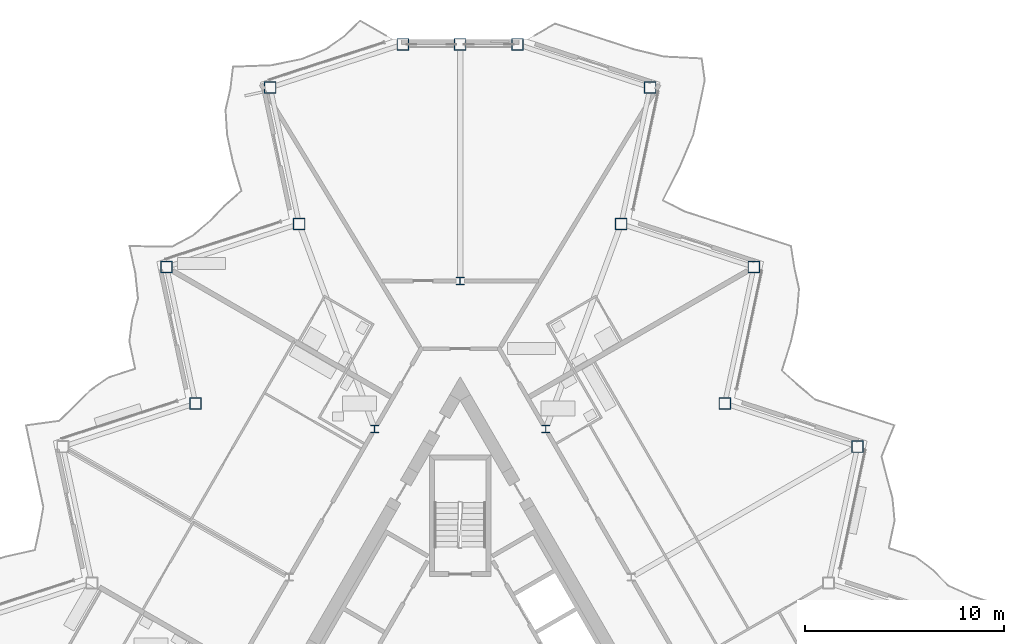
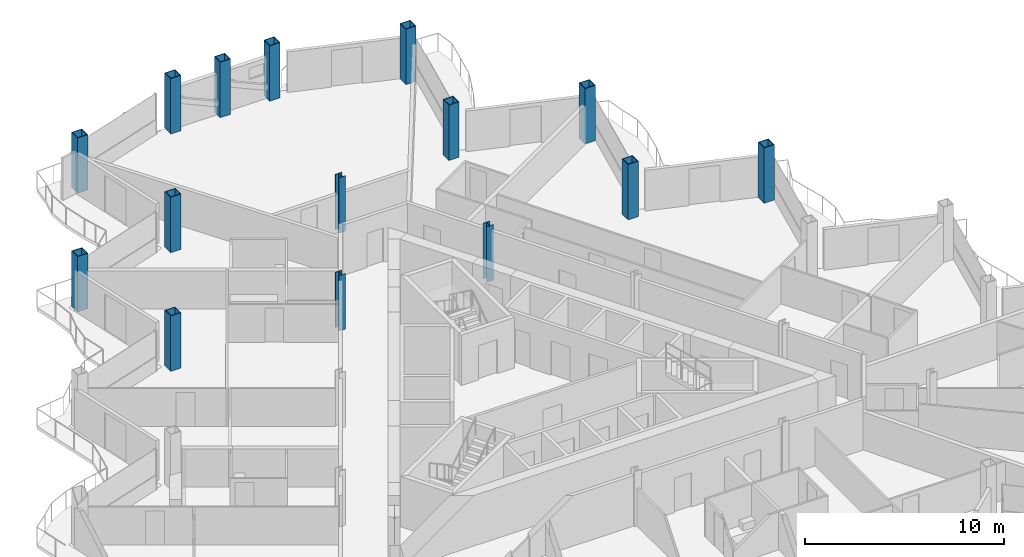
# One storey, part 3 of 27: 15 columns.
"""IFC4 building model written with IfcOpenShell, lengths in metres."""

from ifc_helpers import new_model, si_unit, direction, frame, origin, origin_2d, place, context, subcontext, project, spatial, hollow_rectangle, i_section, extrude, material, material_profile, profile_set, type_object, element, save


model = new_model("IFC4")

# Units and contexts
model_context = context("Model", 3, precision=1e-05, world=origin(), true_north=direction((0.0, 1.0)))
body_context = subcontext(model_context, "Body", "Model", "MODEL_VIEW")
ifc_project = project(units=[si_unit("LENGTHUNIT", "METRE"), si_unit("AREAUNIT", "SQUARE_METRE"), si_unit("VOLUMEUNIT", "CUBIC_METRE"), si_unit("PLANEANGLEUNIT", "RADIAN"), si_unit("MASSUNIT", "GRAM", prefix="KILO")], contexts=[model_context])

# Site, building, storey
site_placement = place(None, origin())
site = spatial("IfcSite", under=ifc_project, at=site_placement, CompositionType="ELEMENT")
building_placement = place(site_placement, origin())
building = spatial("IfcBuilding", under=site, at=building_placement, Name="Cormorant Prow Tower", CompositionType="ELEMENT")
storey_placement = place(building_placement, frame((0.0, 0.0, 318.800048828125)))
storey = spatial("IfcBuildingStorey", under=building, at=storey_placement, Name="L70", CompositionType="ELEMENT", Elevation=318.800048828125)

# Columns
ifc_material_1 = material(Name="Structural steel ASTM A572 Gr 50", Category="steel")
ifc_material_profile_1 = material_profile(ifc_material_1, hollow_rectangle(XDim=0.60009765625, YDim=0.60009765625, WallThickness=0.0400390625, at=origin_2d()), Name="Box 600x600x40")
ifc_profile_set_1 = profile_set([ifc_material_profile_1], Name="Structural steel ASTM A572 Gr 50")
column_type_1 = type_object("IfcColumnType", Name="Perimeter box column 600x600x40", PredefinedType="COLUMN", material=ifc_profile_set_1)
for number, where, z_axis, x_axis, name in (
    (1, (19.925537109375, 11.504150390625, 0.0), (0.0, 0.0, 1.0), (1.0, 0.0, 0.0), "Perimeter column C6 at ENE05 L70"),
    (2, (13.27197265625, 13.666015625, 0.0), (0.0, 0.0, 1.0), (1.0, 0.0, 0.0), "Perimeter column C6 at ENE06 L70"),
    (3, (14.7265625, 20.509033203125, 0.0), (0.0, 0.0, 1.0), (1.0, 0.0, 0.0), "Perimeter column C6 at ENE07 L70"),
    (4, (8.072998046875, 22.6708984375, 0.0), (0.0, 0.0, 1.0), (1.0, 0.0, 0.0), "Perimeter column C6 at ENE08 L70"),
    (5, (9.52734375, 29.51416015625, 0.0), (0.0, 0.0, 1.0), (1.0, 0.0, 0.0), "Perimeter column C6 at ENE09 L70"),
    (6, (2.873779296875, 31.676025390625, 0.0), (0.0, 0.0, 1.0), (1.0, 0.0, 0.0), "Perimeter column C6 at N00 L70"),
    (7, (0.0, 31.676025390625, 0.0), (0.0, 0.0, 1.0), (1.0, 0.0, 0.0), "Perimeter column C6 at N01 L70"),
    (8, (-2.873779296875, 31.676025390625, 0.0), (0.0, 0.0, 1.0), (1.0, 0.0, 0.0), "Perimeter column C6 at WNW00 L70"),
    (9, (-9.52734375, 29.51416015625, 0.0), (0.0, 0.0, 1.0), (1.0, 0.0, 0.0), "Perimeter column C6 at WNW01 L70"),
    (10, (-8.072998046875, 22.6708984375, 0.0), (0.0, 0.0, 1.0), (1.0, 0.0, 0.0), "Perimeter column C6 at WNW02 L70"),
    (11, (-14.7265625, 20.509033203125, 0.0), (0.0, 0.0, 1.0), (1.0, 0.0, 0.0), "Perimeter column C6 at WNW03 L70"),
    (12, (-13.27197265625, 13.666015625, 0.0), (0.0, 0.0, 1.0), (1.0, 0.0, 0.0), "Perimeter column C6 at WNW04 L70"),
):
    element("IfcColumn", number, at=place(storey_placement, frame(where, z_axis=z_axis, x_axis=x_axis)), inside=storey, type_object=column_type_1, Name=name, PredefinedType="COLUMN", context=body_context, shape_type="SweptSolid", body=[
        extrude(hollow_rectangle(XDim=0.60009765625, YDim=0.60009765625, WallThickness=0.0400390625, at=origin_2d()), origin(), (0.0, 0.0, 1.0), 3.39990234375),
    ])
ifc_material_2 = material(Name="Structural steel ASTM A992 Gr 50", Category="steel")
ifc_material_profile_2 = material_profile(ifc_material_2, i_section(OverallWidth=0.3955078125, OverallDepth=0.380615234375, WebThickness=0.018798828125, FlangeThickness=0.0302734375, at=origin_2d()), Name="W14x159")
ifc_profile_set_2 = profile_set([ifc_material_profile_2], Name="Structural steel ASTM A992 Gr 50")
column_type_2 = type_object("IfcColumnType", Name="Ring column W14x159", PredefinedType="COLUMN", material=ifc_profile_set_2)
for number, where, z_axis, x_axis, name in (
    (13, (0.0, 19.81103515625, 0.0), (0.0, 0.0, 1.0), (1.0, 0.0, 0.0), "Ring column 1 L70"),
    (14, (-4.289306640625, 12.3818359375, 0.0), (0.0, 0.0, 1.0), (1.0, 0.0, 0.0), "Ring column 2 L70"),
    (15, (4.289306640625, 12.3818359375, 0.0), (0.0, 0.0, 1.0), (1.0, 0.0, 0.0), "Ring column 12 L70"),
):
    element("IfcColumn", number, at=place(storey_placement, frame(where, z_axis=z_axis, x_axis=x_axis)), inside=storey, type_object=column_type_2, Name=name, PredefinedType="COLUMN", context=body_context, shape_type="SweptSolid", body=[
        extrude(i_section(OverallWidth=0.3955078125, OverallDepth=0.380615234375, WebThickness=0.018798828125, FlangeThickness=0.0302734375, at=origin_2d()), origin(), (0.0, 0.0, 1.0), 3.39990234375),
    ])

save(model, "model.ifc")
